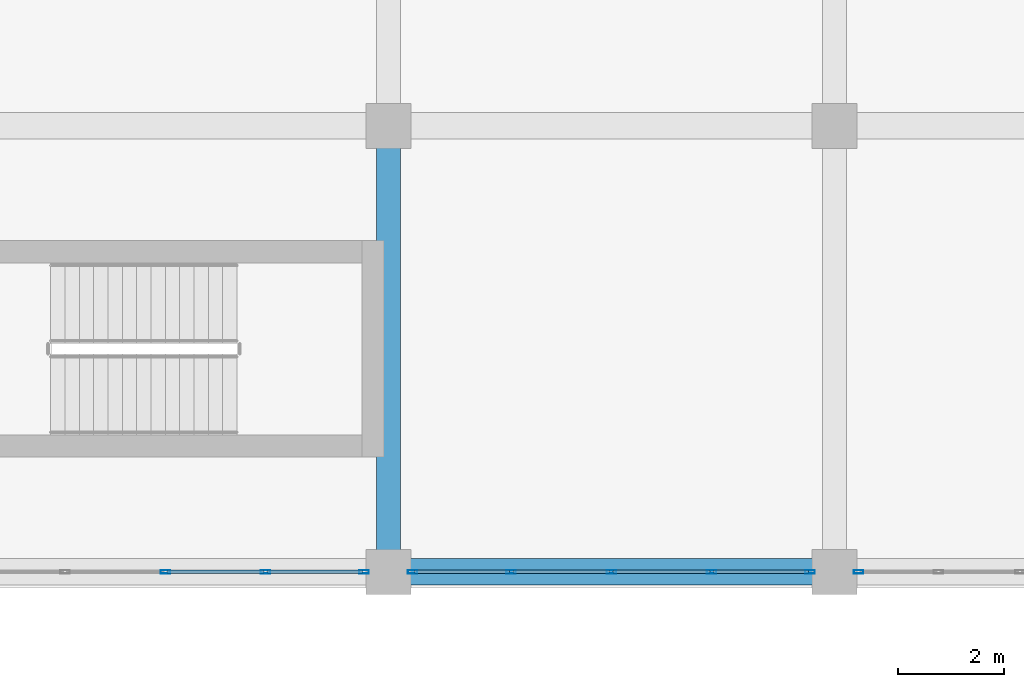
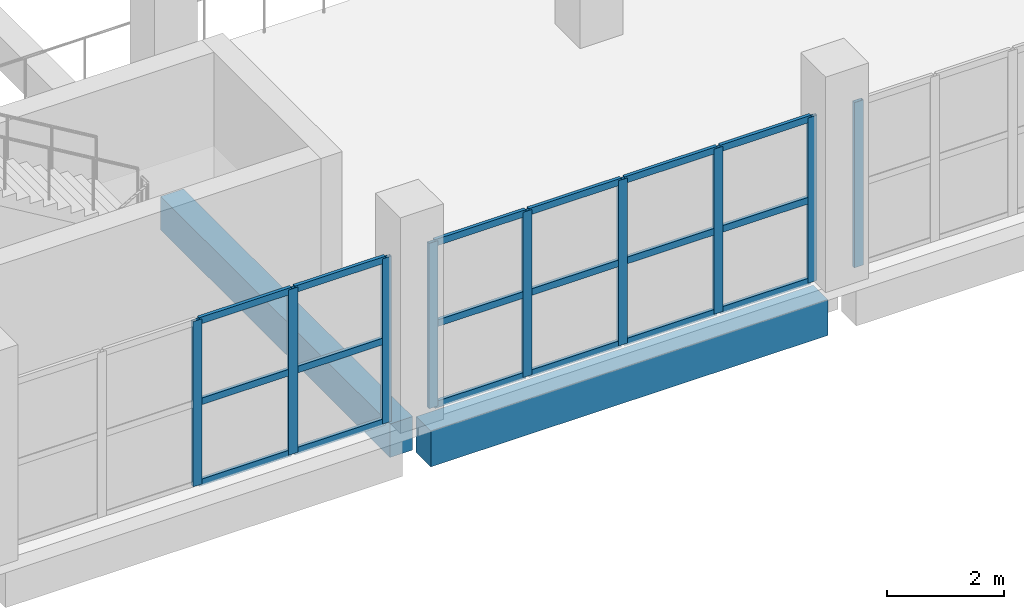
# One storey, part 33 of 137: 27 members, 2 beams, 3 elements without a shape of their own.
"""IFC4 building model written with IfcOpenShell, lengths in metres."""

from ifc_helpers import new_model, si_unit, direction, frame, origin, origin_2d, place, context, subcontext, project, spatial, rectangle, hollow_rectangle, extrude, material, layer, layer_set, material_profile, profile_set, type_object, element, aggregate, save


model = new_model("IFC4")

# Units and contexts
model_context = context("Model", 3, precision=1e-05, world=origin(), true_north=direction((0.0, 1.0)))
body_context = subcontext(model_context, "Body", "Model", "MODEL_VIEW")
ifc_project = project(units=[si_unit("LENGTHUNIT", "METRE"), si_unit("AREAUNIT", "SQUARE_METRE"), si_unit("VOLUMEUNIT", "CUBIC_METRE"), si_unit("PLANEANGLEUNIT", "RADIAN"), si_unit("MASSUNIT", "GRAM", prefix="KILO")], contexts=[model_context])

# Site, building, storey
site_placement = place(None, origin())
site = spatial("IfcSite", under=ifc_project, at=site_placement, CompositionType="ELEMENT")
building_placement = place(site_placement, origin())
building = spatial("IfcBuilding", under=site, at=building_placement, Name="Xazarin Passage Department Store", CompositionType="ELEMENT")
storey_placement = place(building_placement, frame((0.0, 0.0, 5.39990234375)))
storey = spatial("IfcBuildingStorey", under=building, at=storey_placement, Name="L01", CompositionType="ELEMENT", Elevation=5.39990234375)

# Curtain wall, members
ifc_material_1 = material(Name="Bronze anodised aluminium", Category="aluminium")
ifc_layer = layer(ifc_material_1, 0.159912109375)
ifc_layer_set = layer_set([ifc_layer], Name="Bronze anodised aluminium")
curtain_wall_type = type_object("IfcCurtainWallType", Name="ARC-CW-ARC1", PredefinedType="NOTDEFINED", material=ifc_layer_set)
curtain_wall_1_placement = place(storey_placement, origin())
curtain_wall_1 = element("IfcCurtainWall", 1, at=curtain_wall_1_placement, inside=storey, type_object=curtain_wall_type, Name="L01 V2S Curtain Wall 101", PredefinedType="NOTDEFINED")
ifc_material_profile_1 = material_profile(ifc_material_1, hollow_rectangle(XDim=0.06494140625, YDim=0.179931640625, WallThickness=0.00390625, at=origin_2d()), Name="ALU 65x180")
ifc_profile_set_1 = profile_set([ifc_material_profile_1], Name="Bronze anodised aluminium")
member_type_1 = type_object("IfcMemberType", Name="ARC-CWM-65x180", PredefinedType="MULLION", material=ifc_profile_set_1)
member_1_placement = place(storey_placement, frame((80.60009765625, 0.0, 0.0), z_axis=(0.0, 0.0, 1.0), x_axis=(0.0, 1.0, 0.0)))
member_1 = element("IfcMember", 2, at=member_1_placement, type_object=member_type_1, Name="CW3 mullion 3", PredefinedType="MULLION", context=body_context, shape_type="SweptSolid", body=[
    extrude(hollow_rectangle(XDim=0.06494140625, YDim=0.179931640625, WallThickness=0.00390625, at=origin_2d()), origin(), (0.0, 0.0, 1.0), 3.4501953125),
])
member_2_placement = place(storey_placement, frame((82.487548828125, 0.0, 0.0), z_axis=(0.0, 0.0, 1.0), x_axis=(0.0, 1.0, 0.0)))
member_2 = element("IfcMember", 3, at=member_2_placement, type_object=member_type_1, Name="CW3 mullion 4", PredefinedType="MULLION", context=body_context, shape_type="SweptSolid", body=[
    extrude(hollow_rectangle(XDim=0.06494140625, YDim=0.179931640625, WallThickness=0.00390625, at=origin_2d()), origin(), (0.0, 0.0, 1.0), 3.4501953125),
])
member_3_placement = place(storey_placement, frame((84.342529296875, 0.0, 0.0), z_axis=(0.0, 0.0, 1.0), x_axis=(0.0, 1.0, 0.0)))
member_3 = element("IfcMember", 4, at=member_3_placement, type_object=member_type_1, Name="CW3 mullion 5", PredefinedType="MULLION", context=body_context, shape_type="SweptSolid", body=[
    extrude(hollow_rectangle(XDim=0.06494140625, YDim=0.179931640625, WallThickness=0.00390625, at=origin_2d()), origin(), (0.0, 0.0, 1.0), 3.4501953125),
])

curtain_wall_2_placement = place(storey_placement, origin())
curtain_wall_2 = element("IfcCurtainWall", 5, at=curtain_wall_2_placement, inside=storey, type_object=curtain_wall_type, Name="L01 V2S Curtain Wall 102", PredefinedType="NOTDEFINED")
member_4_placement = place(storey_placement, frame((85.257568359375, 0.0, 0.0), z_axis=(0.0, 0.0, 1.0), x_axis=(0.0, 1.0, 0.0)))
member_4 = element("IfcMember", 6, at=member_4_placement, type_object=member_type_1, Name="CW3 mullion 1", PredefinedType="MULLION", context=body_context, shape_type="SweptSolid", body=[
    extrude(hollow_rectangle(XDim=0.06494140625, YDim=0.179931640625, WallThickness=0.00390625, at=origin_2d()), origin(), (0.0, 0.0, 1.0), 3.4501953125),
])
member_5_placement = place(storey_placement, frame((87.112548828125, 0.0, 0.0), z_axis=(0.0, 0.0, 1.0), x_axis=(0.0, 1.0, 0.0)))
member_5 = element("IfcMember", 7, at=member_5_placement, type_object=member_type_1, Name="CW3 mullion 2", PredefinedType="MULLION", context=body_context, shape_type="SweptSolid", body=[
    extrude(hollow_rectangle(XDim=0.06494140625, YDim=0.179931640625, WallThickness=0.00390625, at=origin_2d()), origin(), (0.0, 0.0, 1.0), 3.4501953125),
])
member_6_placement = place(storey_placement, frame((89.0, 0.0, 0.0), z_axis=(0.0, 0.0, 1.0), x_axis=(0.0, 1.0, 0.0)))
member_6 = element("IfcMember", 8, at=member_6_placement, type_object=member_type_1, Name="CW3 mullion 3", PredefinedType="MULLION", context=body_context, shape_type="SweptSolid", body=[
    extrude(hollow_rectangle(XDim=0.06494140625, YDim=0.179931640625, WallThickness=0.00390625, at=origin_2d()), origin(), (0.0, 0.0, 1.0), 3.4501953125),
])
member_7_placement = place(storey_placement, frame((90.887451171875, 0.0, 0.0), z_axis=(0.0, 0.0, 1.0), x_axis=(0.0, 1.0, 0.0)))
member_7 = element("IfcMember", 9, at=member_7_placement, type_object=member_type_1, Name="CW3 mullion 4", PredefinedType="MULLION", context=body_context, shape_type="SweptSolid", body=[
    extrude(hollow_rectangle(XDim=0.06494140625, YDim=0.179931640625, WallThickness=0.00390625, at=origin_2d()), origin(), (0.0, 0.0, 1.0), 3.4501953125),
])
member_8_placement = place(storey_placement, frame((92.742431640625, 0.0, 0.0), z_axis=(0.0, 0.0, 1.0), x_axis=(0.0, 1.0, 0.0)))
member_8 = element("IfcMember", 10, at=member_8_placement, type_object=member_type_1, Name="CW3 mullion 5", PredefinedType="MULLION", context=body_context, shape_type="SweptSolid", body=[
    extrude(hollow_rectangle(XDim=0.06494140625, YDim=0.179931640625, WallThickness=0.00390625, at=origin_2d()), origin(), (0.0, 0.0, 1.0), 3.4501953125),
])

# Curtain wall, member
curtain_wall_3_placement = place(storey_placement, origin())
curtain_wall_3 = element("IfcCurtainWall", 11, at=curtain_wall_3_placement, inside=storey, type_object=curtain_wall_type, Name="L01 V2S Curtain Wall 103", PredefinedType="NOTDEFINED")
member_9_placement = place(storey_placement, frame((93.657470703125, 0.0, 0.0), z_axis=(0.0, 0.0, 1.0), x_axis=(0.0, 1.0, 0.0)))
member_9 = element("IfcMember", 12, at=member_9_placement, type_object=member_type_1, Name="CW3 mullion 1", PredefinedType="MULLION", context=body_context, shape_type="SweptSolid", body=[
    extrude(hollow_rectangle(XDim=0.06494140625, YDim=0.179931640625, WallThickness=0.00390625, at=origin_2d()), origin(), (0.0, 0.0, 1.0), 3.4501953125),
])
aggregate(curtain_wall_3, [member_9])

# Member
ifc_material_profile_2 = material_profile(ifc_material_1, hollow_rectangle(XDim=0.06494140625, YDim=0.139892578125, WallThickness=0.00390625, at=origin_2d()), Name="ALU 65x140")
ifc_profile_set_2 = profile_set([ifc_material_profile_2], Name="Bronze anodised aluminium")
member_type_2 = type_object("IfcMemberType", Name="ARC-CWT-65x140", PredefinedType="USERDEFINED", material=ifc_profile_set_2)
member_10_placement = place(storey_placement, frame((80.632568359375, 0.0, 0.03271484375), z_axis=(1.0, 0.0, 0.0), x_axis=(0.0, 1.0, 0.0)))
member_10 = element("IfcMember", 13, at=member_10_placement, type_object=member_type_2, Name="CW3 transom 3.1", ObjectType="TRANSOM", PredefinedType="USERDEFINED", context=body_context, shape_type="SweptSolid", body=[
    extrude(hollow_rectangle(XDim=0.06494140625, YDim=0.139892578125, WallThickness=0.00390625, at=origin_2d()), origin(), (0.0, 0.0, 1.0), 1.822509765625),
])

member_11_placement = place(storey_placement, frame((80.632568359375, 0.0, 1.72509765625), z_axis=(1.0, 0.0, 0.0), x_axis=(0.0, 1.0, 0.0)))
member_11 = element("IfcMember", 14, at=member_11_placement, type_object=member_type_2, Name="CW3 transom 3.2", ObjectType="TRANSOM", PredefinedType="USERDEFINED", context=body_context, shape_type="SweptSolid", body=[
    extrude(hollow_rectangle(XDim=0.06494140625, YDim=0.139892578125, WallThickness=0.00390625, at=origin_2d()), origin(), (0.0, 0.0, 1.0), 1.822509765625),
])

member_12_placement = place(storey_placement, frame((80.632568359375, 0.0, 3.41748046875), z_axis=(1.0, 0.0, 0.0), x_axis=(0.0, 1.0, 0.0)))
member_12 = element("IfcMember", 15, at=member_12_placement, type_object=member_type_2, Name="CW3 transom 3.3", ObjectType="TRANSOM", PredefinedType="USERDEFINED", context=body_context, shape_type="SweptSolid", body=[
    extrude(hollow_rectangle(XDim=0.06494140625, YDim=0.139892578125, WallThickness=0.00390625, at=origin_2d()), origin(), (0.0, 0.0, 1.0), 1.822509765625),
])

member_13_placement = place(storey_placement, frame((82.52001953125, 0.0, 0.03271484375), z_axis=(1.0, 0.0, 0.0), x_axis=(0.0, 1.0, 0.0)))
member_13 = element("IfcMember", 16, at=member_13_placement, type_object=member_type_2, Name="CW3 transom 4.1", ObjectType="TRANSOM", PredefinedType="USERDEFINED", context=body_context, shape_type="SweptSolid", body=[
    extrude(hollow_rectangle(XDim=0.06494140625, YDim=0.139892578125, WallThickness=0.00390625, at=origin_2d()), origin(), (0.0, 0.0, 1.0), 1.7900390625),
])

member_14_placement = place(storey_placement, frame((82.52001953125, 0.0, 1.72509765625), z_axis=(1.0, 0.0, 0.0), x_axis=(0.0, 1.0, 0.0)))
member_14 = element("IfcMember", 17, at=member_14_placement, type_object=member_type_2, Name="CW3 transom 4.2", ObjectType="TRANSOM", PredefinedType="USERDEFINED", context=body_context, shape_type="SweptSolid", body=[
    extrude(hollow_rectangle(XDim=0.06494140625, YDim=0.139892578125, WallThickness=0.00390625, at=origin_2d()), origin(), (0.0, 0.0, 1.0), 1.7900390625),
])

member_15_placement = place(storey_placement, frame((82.52001953125, 0.0, 3.41748046875), z_axis=(1.0, 0.0, 0.0), x_axis=(0.0, 1.0, 0.0)))
member_15 = element("IfcMember", 18, at=member_15_placement, type_object=member_type_2, Name="CW3 transom 4.3", ObjectType="TRANSOM", PredefinedType="USERDEFINED", context=body_context, shape_type="SweptSolid", body=[
    extrude(hollow_rectangle(XDim=0.06494140625, YDim=0.139892578125, WallThickness=0.00390625, at=origin_2d()), origin(), (0.0, 0.0, 1.0), 1.7900390625),
])

aggregate(curtain_wall_1, [member_1, member_2, member_3, member_10, member_11, member_12, member_13, member_14, member_15])

member_16_placement = place(storey_placement, frame((85.2900390625, 0.0, 0.03271484375), z_axis=(1.0, 0.0, 0.0), x_axis=(0.0, 1.0, 0.0)))
member_16 = element("IfcMember", 19, at=member_16_placement, type_object=member_type_2, Name="CW3 transom 1.1", ObjectType="TRANSOM", PredefinedType="USERDEFINED", context=body_context, shape_type="SweptSolid", body=[
    extrude(hollow_rectangle(XDim=0.06494140625, YDim=0.139892578125, WallThickness=0.00390625, at=origin_2d()), origin(), (0.0, 0.0, 1.0), 1.7900390625),
])

member_17_placement = place(storey_placement, frame((85.2900390625, 0.0, 1.72509765625), z_axis=(1.0, 0.0, 0.0), x_axis=(0.0, 1.0, 0.0)))
member_17 = element("IfcMember", 20, at=member_17_placement, type_object=member_type_2, Name="CW3 transom 1.2", ObjectType="TRANSOM", PredefinedType="USERDEFINED", context=body_context, shape_type="SweptSolid", body=[
    extrude(hollow_rectangle(XDim=0.06494140625, YDim=0.139892578125, WallThickness=0.00390625, at=origin_2d()), origin(), (0.0, 0.0, 1.0), 1.7900390625),
])

member_18_placement = place(storey_placement, frame((85.2900390625, 0.0, 3.41748046875), z_axis=(1.0, 0.0, 0.0), x_axis=(0.0, 1.0, 0.0)))
member_18 = element("IfcMember", 21, at=member_18_placement, type_object=member_type_2, Name="CW3 transom 1.3", ObjectType="TRANSOM", PredefinedType="USERDEFINED", context=body_context, shape_type="SweptSolid", body=[
    extrude(hollow_rectangle(XDim=0.06494140625, YDim=0.139892578125, WallThickness=0.00390625, at=origin_2d()), origin(), (0.0, 0.0, 1.0), 1.7900390625),
])

member_19_placement = place(storey_placement, frame((87.14501953125, 0.0, 0.03271484375), z_axis=(1.0, 0.0, 0.0), x_axis=(0.0, 1.0, 0.0)))
member_19 = element("IfcMember", 22, at=member_19_placement, type_object=member_type_2, Name="CW3 transom 2.1", ObjectType="TRANSOM", PredefinedType="USERDEFINED", context=body_context, shape_type="SweptSolid", body=[
    extrude(hollow_rectangle(XDim=0.06494140625, YDim=0.139892578125, WallThickness=0.00390625, at=origin_2d()), origin(), (0.0, 0.0, 1.0), 1.822509765625),
])

member_20_placement = place(storey_placement, frame((87.14501953125, 0.0, 1.72509765625), z_axis=(1.0, 0.0, 0.0), x_axis=(0.0, 1.0, 0.0)))
member_20 = element("IfcMember", 23, at=member_20_placement, type_object=member_type_2, Name="CW3 transom 2.2", ObjectType="TRANSOM", PredefinedType="USERDEFINED", context=body_context, shape_type="SweptSolid", body=[
    extrude(hollow_rectangle(XDim=0.06494140625, YDim=0.139892578125, WallThickness=0.00390625, at=origin_2d()), origin(), (0.0, 0.0, 1.0), 1.822509765625),
])

member_21_placement = place(storey_placement, frame((87.14501953125, 0.0, 3.41748046875), z_axis=(1.0, 0.0, 0.0), x_axis=(0.0, 1.0, 0.0)))
member_21 = element("IfcMember", 24, at=member_21_placement, type_object=member_type_2, Name="CW3 transom 2.3", ObjectType="TRANSOM", PredefinedType="USERDEFINED", context=body_context, shape_type="SweptSolid", body=[
    extrude(hollow_rectangle(XDim=0.06494140625, YDim=0.139892578125, WallThickness=0.00390625, at=origin_2d()), origin(), (0.0, 0.0, 1.0), 1.822509765625),
])

member_22_placement = place(storey_placement, frame((89.032470703125, 0.0, 0.03271484375), z_axis=(1.0, 0.0, 0.0), x_axis=(0.0, 1.0, 0.0)))
member_22 = element("IfcMember", 25, at=member_22_placement, type_object=member_type_2, Name="CW3 transom 3.1", ObjectType="TRANSOM", PredefinedType="USERDEFINED", context=body_context, shape_type="SweptSolid", body=[
    extrude(hollow_rectangle(XDim=0.06494140625, YDim=0.139892578125, WallThickness=0.00390625, at=origin_2d()), origin(), (0.0, 0.0, 1.0), 1.822509765625),
])

member_23_placement = place(storey_placement, frame((89.032470703125, 0.0, 1.72509765625), z_axis=(1.0, 0.0, 0.0), x_axis=(0.0, 1.0, 0.0)))
member_23 = element("IfcMember", 26, at=member_23_placement, type_object=member_type_2, Name="CW3 transom 3.2", ObjectType="TRANSOM", PredefinedType="USERDEFINED", context=body_context, shape_type="SweptSolid", body=[
    extrude(hollow_rectangle(XDim=0.06494140625, YDim=0.139892578125, WallThickness=0.00390625, at=origin_2d()), origin(), (0.0, 0.0, 1.0), 1.822509765625),
])

member_24_placement = place(storey_placement, frame((89.032470703125, 0.0, 3.41748046875), z_axis=(1.0, 0.0, 0.0), x_axis=(0.0, 1.0, 0.0)))
member_24 = element("IfcMember", 27, at=member_24_placement, type_object=member_type_2, Name="CW3 transom 3.3", ObjectType="TRANSOM", PredefinedType="USERDEFINED", context=body_context, shape_type="SweptSolid", body=[
    extrude(hollow_rectangle(XDim=0.06494140625, YDim=0.139892578125, WallThickness=0.00390625, at=origin_2d()), origin(), (0.0, 0.0, 1.0), 1.822509765625),
])

member_25_placement = place(storey_placement, frame((90.919921875, 0.0, 0.03271484375), z_axis=(1.0, 0.0, 0.0), x_axis=(0.0, 1.0, 0.0)))
member_25 = element("IfcMember", 28, at=member_25_placement, type_object=member_type_2, Name="CW3 transom 4.1", ObjectType="TRANSOM", PredefinedType="USERDEFINED", context=body_context, shape_type="SweptSolid", body=[
    extrude(hollow_rectangle(XDim=0.06494140625, YDim=0.139892578125, WallThickness=0.00390625, at=origin_2d()), origin(), (0.0, 0.0, 1.0), 1.7900390625),
])

member_26_placement = place(storey_placement, frame((90.919921875, 0.0, 1.72509765625), z_axis=(1.0, 0.0, 0.0), x_axis=(0.0, 1.0, 0.0)))
member_26 = element("IfcMember", 29, at=member_26_placement, type_object=member_type_2, Name="CW3 transom 4.2", ObjectType="TRANSOM", PredefinedType="USERDEFINED", context=body_context, shape_type="SweptSolid", body=[
    extrude(hollow_rectangle(XDim=0.06494140625, YDim=0.139892578125, WallThickness=0.00390625, at=origin_2d()), origin(), (0.0, 0.0, 1.0), 1.7900390625),
])

member_27_placement = place(storey_placement, frame((90.919921875, 0.0, 3.41748046875), z_axis=(1.0, 0.0, 0.0), x_axis=(0.0, 1.0, 0.0)))
member_27 = element("IfcMember", 30, at=member_27_placement, type_object=member_type_2, Name="CW3 transom 4.3", ObjectType="TRANSOM", PredefinedType="USERDEFINED", context=body_context, shape_type="SweptSolid", body=[
    extrude(hollow_rectangle(XDim=0.06494140625, YDim=0.139892578125, WallThickness=0.00390625, at=origin_2d()), origin(), (0.0, 0.0, 1.0), 1.7900390625),
])

aggregate(curtain_wall_2, [member_4, member_5, member_6, member_7, member_8, member_16, member_17, member_18, member_19, member_20, member_21, member_22, member_23, member_24, member_25, member_26, member_27])

# Beams
ifc_material_2 = material(Name="Concrete C35/45", Category="concrete")
ifc_material_profile_3 = material_profile(ifc_material_2, rectangle(XDim=0.449951171875, YDim=0.699951171875, at=origin_2d()), Name="RC 450x700")
ifc_profile_set_3 = profile_set([ifc_material_profile_3], Name="Concrete C35/45")
beam_type_1 = type_object("IfcBeamType", Name="STR-BM-G450x700", PredefinedType="BEAM", material=ifc_profile_set_3)
beam_1_placement = place(storey_placement, frame((84.800048828125, 0.280029296875, -0.64990234375), z_axis=(0.0, 1.0, 0.0), x_axis=(-1.0, 0.0, 0.0)))
element("IfcBeam", 31, at=beam_1_placement, inside=storey, type_object=beam_type_1, Name="L01 Grid Beam 12/A-B", PredefinedType="BEAM", context=body_context, shape_type="SweptSolid", body=[
    extrude(rectangle(XDim=0.449951171875, YDim=0.699951171875, at=origin_2d()), origin(), (0.0, 0.0, 1.0), 7.840087890625),
])
ifc_material_profile_4 = material_profile(ifc_material_2, rectangle(XDim=0.5, YDim=0.75, at=origin_2d()), Name="RC 500x750")
ifc_profile_set_4 = profile_set([ifc_material_profile_4], Name="Concrete C35/45")
beam_type_2 = type_object("IfcBeamType", Name="STR-BM-SP500x750", PredefinedType="SPANDREL", material=ifc_profile_set_4)
beam_2_placement = place(storey_placement, frame((85.080078125, 0.0, -0.6748046875), z_axis=(1.0, 0.0, 0.0), x_axis=(0.0, 1.0, 0.0)))
element("IfcBeam", 32, at=beam_2_placement, inside=storey, type_object=beam_type_2, Name="L01 Grid Beam A/12-13", PredefinedType="SPANDREL", context=body_context, shape_type="SweptSolid", body=[
    extrude(rectangle(XDim=0.5, YDim=0.75, at=origin_2d()), origin(), (0.0, 0.0, 1.0), 7.83984375),
])

save(model, "model.ifc")
